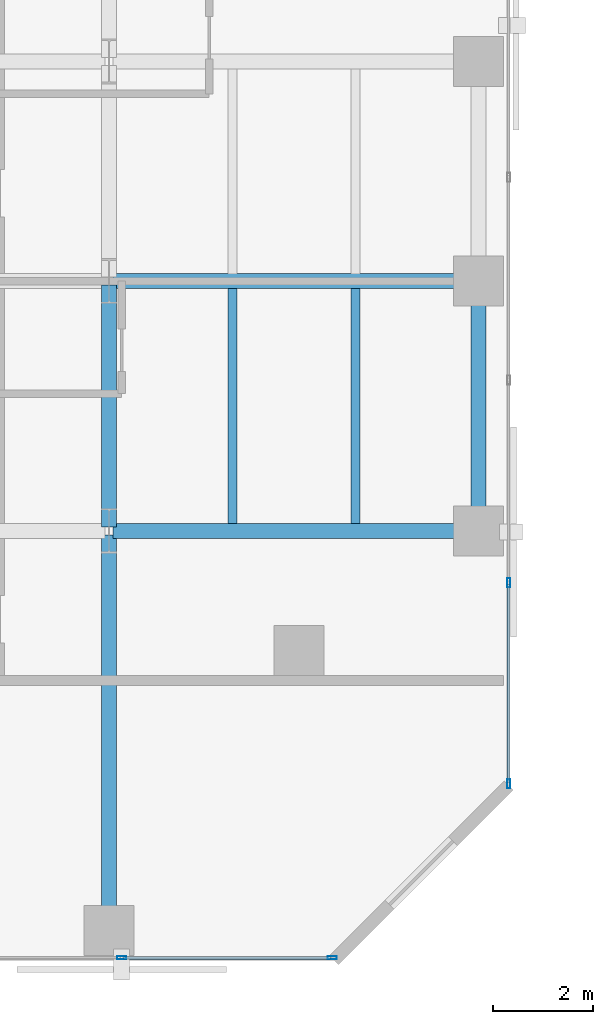
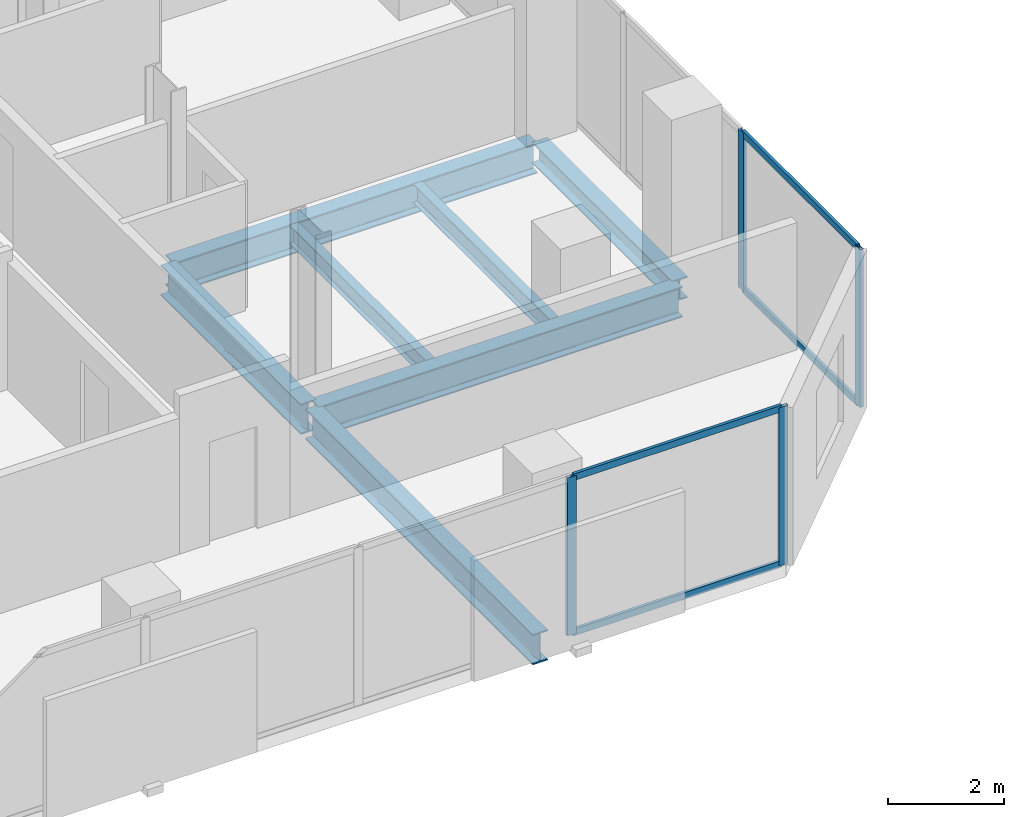
# One storey, part 6 of 32: 8 members, 7 beams, 2 elements without a shape of their own.
"""IFC4 building model written with IfcOpenShell, lengths in metres."""

from ifc_helpers import new_model, si_unit, direction, frame, origin, origin_2d, place, context, subcontext, project, spatial, hollow_rectangle, i_section, extrude, material, layer, layer_set, material_profile, profile_set, type_object, element, aggregate, save


model = new_model("IFC4")

# Units and contexts
model_context = context("Model", 3, precision=1e-05, world=origin(), true_north=direction((0.0, 1.0)))
body_context = subcontext(model_context, "Body", "Model", "MODEL_VIEW")
ifc_project = project(units=[si_unit("LENGTHUNIT", "METRE"), si_unit("AREAUNIT", "SQUARE_METRE"), si_unit("VOLUMEUNIT", "CUBIC_METRE"), si_unit("PLANEANGLEUNIT", "RADIAN"), si_unit("MASSUNIT", "GRAM", prefix="KILO")], contexts=[model_context])

# Site, building, storey
site_placement = place(None, origin())
site = spatial("IfcSite", under=ifc_project, at=site_placement, CompositionType="ELEMENT")
building_placement = place(site_placement, origin())
building = spatial("IfcBuilding", under=site, at=building_placement, Name="Catumbela Crestline Tower", CompositionType="ELEMENT")
storey_placement = place(building_placement, frame((0.0, 0.0, 29.4)))
storey = spatial("IfcBuildingStorey", under=building, at=storey_placement, Name="L06", CompositionType="ELEMENT", Elevation=29.4)

# Beams
ifc_material_1 = material(Name="Structural steel S355J2", Category="steel")
ifc_material_profile_1 = material_profile(ifc_material_1, i_section(OverallWidth=0.3, OverallDepth=0.64, WebThickness=0.0135, FlangeThickness=0.026, FilletRadius=0.027, at=origin_2d()), Name="HEA 650")
ifc_profile_set_1 = profile_set([ifc_material_profile_1], Name="Structural steel S355J2")
beam_type_1 = type_object("IfcBeamType", Name="BG-HEA650", PredefinedType="BEAM", material=ifc_profile_set_1)
for number, where, z_axis, x_axis, name in (
    (1, (16.08, 8.6, -0.58), (1.0, 0.0, 0.0), (0.0, 1.0, 0.0), "L06 Beam BM-L06-WEW50"),
    (2, (16.08, 13.6, -0.58), (1.0, 0.0, 0.0), (0.0, 1.0, 0.0), "L06 Beam BM-L06-WEW53"),
):
    element("IfcBeam", number, at=place(storey_placement, frame(where, z_axis=z_axis, x_axis=x_axis)), inside=storey, type_object=beam_type_1, Name=name, PredefinedType="BEAM", context=body_context, shape_type="SweptSolid", body=[
        extrude(i_section(OverallWidth=0.3, OverallDepth=0.64, WebThickness=0.0135, FlangeThickness=0.026, FilletRadius=0.027, at=origin_2d()), origin(), (0.0, 0.0, 1.0), 7.24),
    ])
beam_1_placement = place(storey_placement, frame((16.0, 0.68, -0.58), z_axis=(0.0, 1.0, 0.0), x_axis=(-1.0, 0.0, 0.0)))
element("IfcBeam", 3, at=beam_1_placement, inside=storey, type_object=beam_type_1, Name="L06 Beam BM-L06-WNS64", PredefinedType="BEAM", context=body_context, shape_type="SweptSolid", body=[
    extrude(i_section(OverallWidth=0.3, OverallDepth=0.64, WebThickness=0.0135, FlangeThickness=0.026, FilletRadius=0.027, at=origin_2d()), origin(), (0.0, 0.0, 1.0), 7.84),
])
beam_2_placement = place(storey_placement, frame((16.0, 8.68, -0.58), z_axis=(0.0, 1.0, 0.0), x_axis=(-1.0, 0.0, 0.0)))
element("IfcBeam", 4, at=beam_2_placement, inside=storey, type_object=beam_type_1, Name="L06 Beam BM-L06-WNS65", PredefinedType="BEAM", context=body_context, shape_type="SweptSolid", body=[
    extrude(i_section(OverallWidth=0.3, OverallDepth=0.64, WebThickness=0.0135, FlangeThickness=0.026, FilletRadius=0.027, at=origin_2d()), origin(), (0.0, 0.0, 1.0), 4.84),
])
ifc_material_profile_2 = material_profile(ifc_material_1, i_section(OverallWidth=0.18, OverallDepth=0.4, WebThickness=0.0086, FlangeThickness=0.0135, FilletRadius=0.021, at=origin_2d()), Name="IPE 400")
ifc_profile_set_2 = profile_set([ifc_material_profile_2], Name="Structural steel S355J2")
beam_type_2 = type_object("IfcBeamType", Name="BJ-IPE400", PredefinedType="JOIST", material=ifc_profile_set_2)
for number, where, z_axis, x_axis, name in (
    (5, (18.467, 8.747, -0.46), (0.0, 1.0, 0.0), (-1.0, 0.0, 0.0), "L06 Joist JS-L06-WG74"),
    (6, (20.933, 8.747, -0.46), (0.0, 1.0, 0.0), (-1.0, 0.0, 0.0), "L06 Joist JS-L06-WG75"),
):
    element("IfcBeam", number, at=place(storey_placement, frame(where, z_axis=z_axis, x_axis=x_axis)), inside=storey, type_object=beam_type_2, Name=name, PredefinedType="JOIST", context=body_context, shape_type="SweptSolid", body=[
        extrude(i_section(OverallWidth=0.18, OverallDepth=0.4, WebThickness=0.0086, FlangeThickness=0.0135, FilletRadius=0.021, at=origin_2d()), origin(), (0.0, 0.0, 1.0), 4.706),
    ])

# Curtain wall, members
ifc_material_2 = material(Name="Aluminium alloy AW-6060-T66", Category="aluminium")
ifc_layer = layer(ifc_material_2, 0.18, Name="Aluminium alloy AW-6060-T66")
ifc_layer_set = layer_set([ifc_layer], Name="Aluminium alloy AW-6060-T66")
curtain_wall_type = type_object("IfcCurtainWallType", Name="CWU-Z1", PredefinedType="USERDEFINED", material=ifc_layer_set)
curtain_wall_1_placement = place(storey_placement, origin())
curtain_wall_1 = element("IfcCurtainWall", 7, at=curtain_wall_1_placement, inside=storey, type_object=curtain_wall_type, Name="L06 Unitised Curtain Wall CW-L06-E0S1", ObjectType="UNITISED", PredefinedType="USERDEFINED")
ifc_material_profile_3 = material_profile(ifc_material_2, hollow_rectangle(XDim=0.065, YDim=0.18, WallThickness=0.004, at=origin_2d()), Name="ALU 180x65x4")
ifc_profile_set_3 = profile_set([ifc_material_profile_3], Name="Aluminium alloy AW-6060-T66")
member_type_1 = type_object("IfcMemberType", Name="MUL-180X65", PredefinedType="MULLION", material=ifc_profile_set_3)
member_1_placement = place(storey_placement, frame((16.25, 0.05, 0.0), z_axis=(0.0, 0.0, 1.0), x_axis=(0.0, 1.0, 0.0)))
member_1 = element("IfcMember", 8, at=member_1_placement, type_object=member_type_1, Name="CWU-Z1 mullion 4", PredefinedType="MULLION", context=body_context, shape_type="SweptSolid", body=[
    extrude(hollow_rectangle(XDim=0.065, YDim=0.18, WallThickness=0.004, at=origin_2d()), origin(), (0.0, 0.0, 1.0), 3.33),
])
member_2_placement = place(storey_placement, frame((20.4675, 0.05, 0.0), z_axis=(0.0, 0.0, 1.0), x_axis=(0.0, 1.0, 0.0)))
member_2 = element("IfcMember", 9, at=member_2_placement, type_object=member_type_1, Name="CWU-Z1 mullion 5", PredefinedType="MULLION", context=body_context, shape_type="SweptSolid", body=[
    extrude(hollow_rectangle(XDim=0.065, YDim=0.18, WallThickness=0.004, at=origin_2d()), origin(), (0.0, 0.0, 1.0), 3.33),
])

curtain_wall_2_placement = place(storey_placement, origin())
curtain_wall_2 = element("IfcCurtainWall", 10, at=curtain_wall_2_placement, inside=storey, type_object=curtain_wall_type, Name="L06 Unitised Curtain Wall CW-L06-E2S1", ObjectType="UNITISED", PredefinedType="USERDEFINED")
member_3_placement = place(storey_placement, frame((24.0, 3.5325, 0.0), z_axis=(0.0, 0.0, 1.0), x_axis=(-1.0, 0.0, 0.0)))
member_3 = element("IfcMember", 11, at=member_3_placement, type_object=member_type_1, Name="CWU-Z1 mullion 1", PredefinedType="MULLION", context=body_context, shape_type="SweptSolid", body=[
    extrude(hollow_rectangle(XDim=0.065, YDim=0.18, WallThickness=0.004, at=origin_2d()), origin(), (0.0, 0.0, 1.0), 3.33),
])
member_4_placement = place(storey_placement, frame((24.0, 7.56, 0.0), z_axis=(0.0, 0.0, 1.0), x_axis=(-1.0, 0.0, 0.0)))
member_4 = element("IfcMember", 12, at=member_4_placement, type_object=member_type_1, Name="CWU-Z1 mullion 2", PredefinedType="MULLION", context=body_context, shape_type="SweptSolid", body=[
    extrude(hollow_rectangle(XDim=0.065, YDim=0.18, WallThickness=0.004, at=origin_2d()), origin(), (0.0, 0.0, 1.0), 3.33),
])

# Beam
ifc_material_profile_4 = material_profile(ifc_material_1, i_section(OverallWidth=0.3, OverallDepth=0.45, WebThickness=0.014, FlangeThickness=0.026, FilletRadius=0.027, at=origin_2d()), Name="HEB 450")
ifc_profile_set_4 = profile_set([ifc_material_profile_4], Name="Structural steel S355J2")
beam_type_3 = type_object("IfcBeamType", Name="BS-HEB450", PredefinedType="SPANDREL", material=ifc_profile_set_4)
beam_3_placement = place(storey_placement, frame((23.4, 8.68, -0.485), z_axis=(0.0, 1.0, 0.0), x_axis=(-1.0, 0.0, 0.0)))
element("IfcBeam", 13, at=beam_3_placement, inside=storey, type_object=beam_type_3, Name="L06 Spandrel SP-L06-WNS68", PredefinedType="SPANDREL", context=body_context, shape_type="SweptSolid", body=[
    extrude(i_section(OverallWidth=0.3, OverallDepth=0.45, WebThickness=0.014, FlangeThickness=0.026, FilletRadius=0.027, at=origin_2d()), origin(), (0.0, 0.0, 1.0), 4.84),
])

# Member
ifc_material_profile_5 = material_profile(ifc_material_2, hollow_rectangle(XDim=0.06, YDim=0.14, WallThickness=0.004, at=origin_2d()), Name="ALU 140x60x4")
ifc_profile_set_5 = profile_set([ifc_material_profile_5], Name="Aluminium alloy AW-6060-T66")
member_type_2 = type_object("IfcMemberType", Name="TRN-140X60", PredefinedType="USERDEFINED", material=ifc_profile_set_5)
member_5_placement = place(storey_placement, frame((16.2825, 0.05, 0.03), z_axis=(1.0, 0.0, 0.0), x_axis=(0.0, 1.0, 0.0)))
member_5 = element("IfcMember", 14, at=member_5_placement, type_object=member_type_2, Name="CWU-Z1 transom 4.1", ObjectType="TRANSOM", PredefinedType="USERDEFINED", context=body_context, shape_type="SweptSolid", body=[
    extrude(hollow_rectangle(XDim=0.06, YDim=0.14, WallThickness=0.004, at=origin_2d()), origin(), (0.0, 0.0, 1.0), 4.1525),
])

member_6_placement = place(storey_placement, frame((16.2825, 0.05, 3.3), z_axis=(1.0, 0.0, 0.0), x_axis=(0.0, 1.0, 0.0)))
member_6 = element("IfcMember", 15, at=member_6_placement, type_object=member_type_2, Name="CWU-Z1 transom 4.2", ObjectType="TRANSOM", PredefinedType="USERDEFINED", context=body_context, shape_type="SweptSolid", body=[
    extrude(hollow_rectangle(XDim=0.06, YDim=0.14, WallThickness=0.004, at=origin_2d()), origin(), (0.0, 0.0, 1.0), 4.1525),
])

aggregate(curtain_wall_1, [member_1, member_2, member_5, member_6])

member_7_placement = place(storey_placement, frame((24.0, 3.565, 0.03), z_axis=(0.0, 1.0, 0.0), x_axis=(-1.0, 0.0, 0.0)))
member_7 = element("IfcMember", 16, at=member_7_placement, type_object=member_type_2, Name="CWU-Z1 transom 1.1", ObjectType="TRANSOM", PredefinedType="USERDEFINED", context=body_context, shape_type="SweptSolid", body=[
    extrude(hollow_rectangle(XDim=0.06, YDim=0.14, WallThickness=0.004, at=origin_2d()), origin(), (0.0, 0.0, 1.0), 3.9625),
])

member_8_placement = place(storey_placement, frame((24.0, 3.565, 3.3), z_axis=(0.0, 1.0, 0.0), x_axis=(-1.0, 0.0, 0.0)))
member_8 = element("IfcMember", 17, at=member_8_placement, type_object=member_type_2, Name="CWU-Z1 transom 1.2", ObjectType="TRANSOM", PredefinedType="USERDEFINED", context=body_context, shape_type="SweptSolid", body=[
    extrude(hollow_rectangle(XDim=0.06, YDim=0.14, WallThickness=0.004, at=origin_2d()), origin(), (0.0, 0.0, 1.0), 3.9625),
])

aggregate(curtain_wall_2, [member_3, member_4, member_7, member_8])

save(model, "model.ifc")
